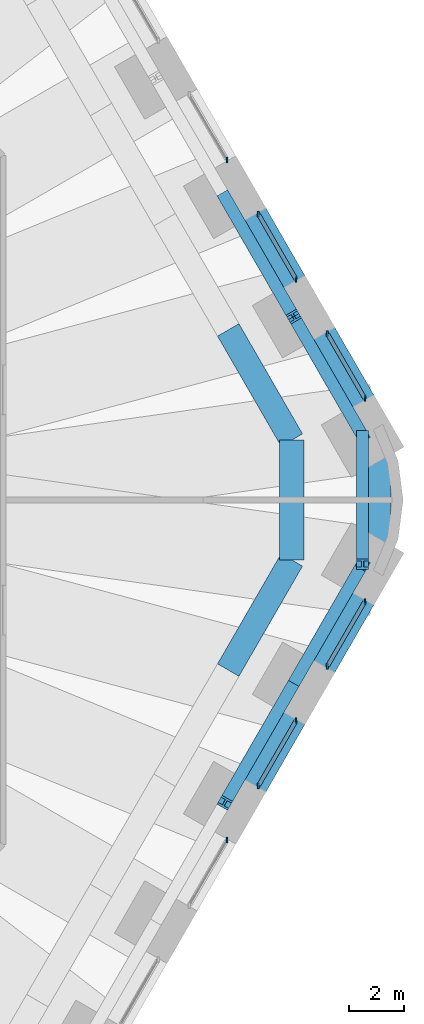
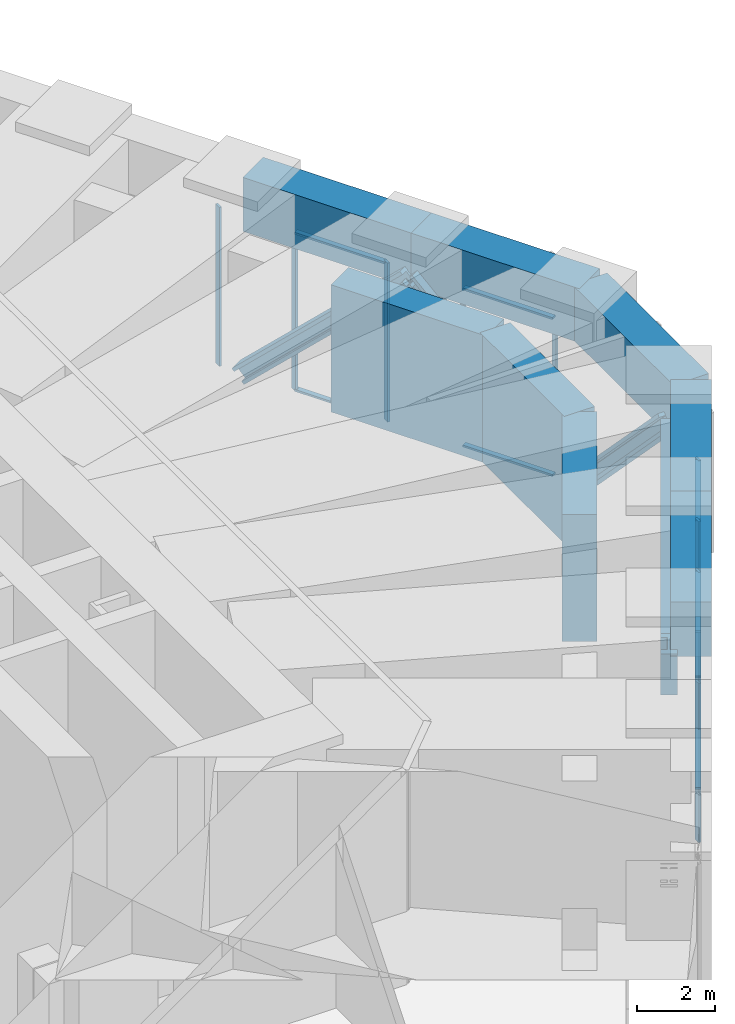
# One storey, part 10 of 16: 23 members, 8 beams, 6 elements without a shape of their own.
"""IFC4 building model written with IfcOpenShell, lengths in metres."""

from ifc_helpers import new_model, si_unit, direction, frame, origin, origin_2d, place, context, subcontext, project, spatial, rectangle, i_section, extrude, material, material_profile, profile_set, type_object, element, aggregate, save


model = new_model("IFC4")

# Units and contexts
model_context = context("Model", 3, precision=1e-05, world=origin(), true_north=direction((0.0, 1.0)))
body_context = subcontext(model_context, "Body", "Model", "MODEL_VIEW")
ifc_project = project(units=[si_unit("LENGTHUNIT", "METRE"), si_unit("AREAUNIT", "SQUARE_METRE"), si_unit("VOLUMEUNIT", "CUBIC_METRE"), si_unit("PLANEANGLEUNIT", "RADIAN"), si_unit("MASSUNIT", "GRAM", prefix="KILO")], contexts=[model_context])

# Site, building, storey
site_placement = place(None, origin())
site = spatial("IfcSite", under=ifc_project, at=site_placement, CompositionType="ELEMENT")
building_placement = place(site_placement, origin())
building = spatial("IfcBuilding", under=site, at=building_placement, Name="Tarfa Lantern Tower", CompositionType="ELEMENT")
storey_placement = place(building_placement, frame((0.0, 0.0, 203.5)))
storey = spatial("IfcBuildingStorey", under=building, at=storey_placement, Name="L46", CompositionType="ELEMENT", Elevation=203.5)

# Members
ifc_material_1 = material(Name="Steel S460M", Category="steel")
ifc_material_profile_1 = material_profile(ifc_material_1, i_section(OverallWidth=0.44189453125, OverallDepth=0.531005859375, WebThickness=0.06591796875, FlangeThickness=0.10595703125, FilletRadius=0.02001953125, at=origin_2d()), Name="HD400x900")
ifc_profile_set_1 = profile_set([ifc_material_profile_1], Name="Steel S460M")
member_type_1 = type_object("IfcMemberType", Name="BT2 HD400x900", PredefinedType="BRACE", material=ifc_profile_set_1)
member_1_placement = place(storey_placement, frame((34.04931640625, 2.324951171875, 0.60009765625), z_axis=(-0.360836211576, 0.624984656077, 0.692236526112), x_axis=(-0.866024712477, -0.500001197378, 0.0)))
element("IfcMember", 1, at=member_1_placement, inside=storey, type_object=member_type_1, Name="Belt truss diagonal 1", PredefinedType="BRACE", context=body_context, shape_type="SweptSolid", body=[
    extrude(i_section(OverallWidth=0.44189453125, OverallDepth=0.531005859375, WebThickness=0.06591796875, FlangeThickness=0.10595703125, FilletRadius=0.02001953125, at=origin_2d()), origin(), (0.0, 0.0, 1.0), 6.933837890625),
])
for number, where, z_axis, x_axis, name in (
    (2, (29.04541015625, 10.99169921875, 0.60009765625), (0.360844152163, -0.624963198354, 0.692251759516), (0.866012514114, 0.500022324899, 0.0), "Belt truss diagonal 2"),
    (3, (31.54736328125, -6.658447265625, 0.60009765625), (-0.360844152163, -0.624963198354, 0.692251759516), (0.866012514114, -0.500022324899, 0.0), "Belt truss diagonal 40"),
):
    element("IfcMember", number, at=place(storey_placement, frame(where, z_axis=z_axis, x_axis=x_axis)), inside=storey, type_object=member_type_1, Name=name, PredefinedType="BRACE", context=body_context, shape_type="SweptSolid", body=[
        extrude(i_section(OverallWidth=0.44189453125, OverallDepth=0.531005859375, WebThickness=0.06591796875, FlangeThickness=0.10595703125, FilletRadius=0.02001953125, at=origin_2d()), origin(), (0.0, 0.0, 1.0), 6.93359375),
    ])
member_2_placement = place(storey_placement, frame((31.54736328125, -6.658447265625, 0.60009765625), z_axis=(0.360836211576, 0.624984656077, 0.692236526112), x_axis=(-0.866024712477, 0.500001197378, 0.0)))
element("IfcMember", 4, at=member_2_placement, inside=storey, type_object=member_type_1, Name="Belt truss diagonal 41", PredefinedType="BRACE", context=body_context, shape_type="SweptSolid", body=[
    extrude(i_section(OverallWidth=0.44189453125, OverallDepth=0.531005859375, WebThickness=0.06591796875, FlangeThickness=0.10595703125, FilletRadius=0.02001953125, at=origin_2d()), origin(), (0.0, 0.0, 1.0), 6.933837890625),
])
member_3_placement = place(storey_placement, frame((34.04931640625, 2.324951171875, 0.60009765625), z_axis=(0.0, -0.695802283081, 0.718233376319), x_axis=(1.0, 0.0, 0.0)))
element("IfcMember", 5, at=member_3_placement, inside=storey, type_object=member_type_1, Name="Belt truss diagonal 42", PredefinedType="BRACE", context=body_context, shape_type="SweptSolid", body=[
    extrude(i_section(OverallWidth=0.44189453125, OverallDepth=0.531005859375, WebThickness=0.06591796875, FlangeThickness=0.10595703125, FilletRadius=0.02001953125, at=origin_2d()), origin(), (0.0, 0.0, 1.0), 6.682861328125),
])

# Curtain wall, members
ifc_material_2 = material(Name="Aluminium framed curtain wall", Category="aluminium")
curtain_wall_type = type_object("IfcCurtainWallType", Name="CW6 LOUVRED SCREEN WALL 5000", PredefinedType="USERDEFINED", material=ifc_material_2)
curtain_wall_1_placement = place(storey_placement, origin())
curtain_wall_1 = element("IfcCurtainWall", 6, at=curtain_wall_1_placement, inside=storey, type_object=curtain_wall_type, Name="CW6 NE L46", ObjectType="CURTAIN WALL", PredefinedType="USERDEFINED")
ifc_material_3 = material(Name="Aluminium mullion", Category="aluminium")
ifc_material_profile_2 = material_profile(ifc_material_3, rectangle(XDim=0.06494140625, YDim=0.199951171875, at=origin_2d()), Name="AL MULLION 65x200")
ifc_profile_set_2 = profile_set([ifc_material_profile_2], Name="Aluminium mullion")
member_type_2 = type_object("IfcMemberType", Name="CWM1 MULLION 65x200", PredefinedType="MULLION", material=ifc_profile_set_2)
member_4_placement = place(storey_placement, frame((34.132568359375, 3.6806640625, 0.0), z_axis=(0.0, 0.0, 1.0), x_axis=(1.0, 0.0, 0.0)))
member_4 = element("IfcMember", 7, at=member_4_placement, type_object=member_type_2, Name="CW6 mullion 1", PredefinedType="MULLION", context=body_context, shape_type="SweptSolid", body=[
    extrude(rectangle(XDim=0.06494140625, YDim=0.199951171875, at=origin_2d()), origin(), (0.0, 0.0, 1.0), 5.0),
])
member_5_placement = place(storey_placement, frame((32.76318359375, 6.052490234375, 0.0), z_axis=(0.0, 0.0, 1.0), x_axis=(1.0, 0.0, 0.0)))
member_5 = element("IfcMember", 8, at=member_5_placement, type_object=member_type_2, Name="CW6 mullion 2", PredefinedType="MULLION", context=body_context, shape_type="SweptSolid", body=[
    extrude(rectangle(XDim=0.06494140625, YDim=0.199951171875, at=origin_2d()), origin(), (0.0, 0.0, 1.0), 5.0),
])

curtain_wall_2_placement = place(storey_placement, origin())
curtain_wall_2 = element("IfcCurtainWall", 9, at=curtain_wall_2_placement, inside=storey, type_object=curtain_wall_type, Name="CW6 NE L46", ObjectType="CURTAIN WALL", PredefinedType="USERDEFINED")
member_6_placement = place(storey_placement, frame((31.630615234375, 8.01416015625, 0.0), z_axis=(0.0, 0.0, 1.0), x_axis=(1.0, 0.0, 0.0)))
member_6 = element("IfcMember", 10, at=member_6_placement, type_object=member_type_2, Name="CW6 mullion 1", PredefinedType="MULLION", context=body_context, shape_type="SweptSolid", body=[
    extrude(rectangle(XDim=0.06494140625, YDim=0.199951171875, at=origin_2d()), origin(), (0.0, 0.0, 1.0), 5.0),
])
member_7_placement = place(storey_placement, frame((30.26123046875, 10.385986328125, 0.0), z_axis=(0.0, 0.0, 1.0), x_axis=(1.0, 0.0, 0.0)))
member_7 = element("IfcMember", 11, at=member_7_placement, type_object=member_type_2, Name="CW6 mullion 2", PredefinedType="MULLION", context=body_context, shape_type="SweptSolid", body=[
    extrude(rectangle(XDim=0.06494140625, YDim=0.199951171875, at=origin_2d()), origin(), (0.0, 0.0, 1.0), 5.0),
])

# Curtain wall, member
curtain_wall_3_placement = place(storey_placement, origin())
curtain_wall_3 = element("IfcCurtainWall", 12, at=curtain_wall_3_placement, inside=storey, type_object=curtain_wall_type, Name="CW6 NE L46", ObjectType="CURTAIN WALL", PredefinedType="USERDEFINED")
member_8_placement = place(storey_placement, frame((29.12890625, 12.347412109375, 0.0), z_axis=(0.0, 0.0, 1.0), x_axis=(1.0, 0.0, 0.0)))
member_8 = element("IfcMember", 13, at=member_8_placement, type_object=member_type_2, Name="CW6 mullion 1", PredefinedType="MULLION", context=body_context, shape_type="SweptSolid", body=[
    extrude(rectangle(XDim=0.06494140625, YDim=0.199951171875, at=origin_2d()), origin(), (0.0, 0.0, 1.0), 5.0),
])
aggregate(curtain_wall_3, [member_8])

curtain_wall_4_placement = place(storey_placement, origin())
curtain_wall_4 = element("IfcCurtainWall", 14, at=curtain_wall_4_placement, inside=storey, type_object=curtain_wall_type, Name="CW6 SE L46", ObjectType="CURTAIN WALL", PredefinedType="USERDEFINED")
member_9_placement = place(storey_placement, frame((29.12890625, -12.347412109375, 0.0), z_axis=(0.0, 0.0, 1.0), x_axis=(1.0, 0.0, 0.0)))
member_9 = element("IfcMember", 15, at=member_9_placement, type_object=member_type_2, Name="CW6 mullion 2", PredefinedType="MULLION", context=body_context, shape_type="SweptSolid", body=[
    extrude(rectangle(XDim=0.06494140625, YDim=0.199951171875, at=origin_2d()), origin(), (0.0, 0.0, 1.0), 5.0),
])
aggregate(curtain_wall_4, [member_9])

# Curtain wall, members
curtain_wall_5_placement = place(storey_placement, origin())
curtain_wall_5 = element("IfcCurtainWall", 16, at=curtain_wall_5_placement, inside=storey, type_object=curtain_wall_type, Name="CW6 SE L46", ObjectType="CURTAIN WALL", PredefinedType="USERDEFINED")
member_10_placement = place(storey_placement, frame((30.26123046875, -10.385986328125, 0.0), z_axis=(0.0, 0.0, 1.0), x_axis=(1.0, 0.0, 0.0)))
member_10 = element("IfcMember", 17, at=member_10_placement, type_object=member_type_2, Name="CW6 mullion 1", PredefinedType="MULLION", context=body_context, shape_type="SweptSolid", body=[
    extrude(rectangle(XDim=0.06494140625, YDim=0.199951171875, at=origin_2d()), origin(), (0.0, 0.0, 1.0), 5.0),
])
member_11_placement = place(storey_placement, frame((31.630615234375, -8.01416015625, 0.0), z_axis=(0.0, 0.0, 1.0), x_axis=(1.0, 0.0, 0.0)))
member_11 = element("IfcMember", 18, at=member_11_placement, type_object=member_type_2, Name="CW6 mullion 2", PredefinedType="MULLION", context=body_context, shape_type="SweptSolid", body=[
    extrude(rectangle(XDim=0.06494140625, YDim=0.199951171875, at=origin_2d()), origin(), (0.0, 0.0, 1.0), 5.0),
])

curtain_wall_6_placement = place(storey_placement, origin())
curtain_wall_6 = element("IfcCurtainWall", 19, at=curtain_wall_6_placement, inside=storey, type_object=curtain_wall_type, Name="CW6 SE L46", ObjectType="CURTAIN WALL", PredefinedType="USERDEFINED")
member_12_placement = place(storey_placement, frame((32.76318359375, -6.052490234375, 0.0), z_axis=(0.0, 0.0, 1.0), x_axis=(1.0, 0.0, 0.0)))
member_12 = element("IfcMember", 20, at=member_12_placement, type_object=member_type_2, Name="CW6 mullion 1", PredefinedType="MULLION", context=body_context, shape_type="SweptSolid", body=[
    extrude(rectangle(XDim=0.06494140625, YDim=0.199951171875, at=origin_2d()), origin(), (0.0, 0.0, 1.0), 5.0),
])
member_13_placement = place(storey_placement, frame((34.132568359375, -3.6806640625, 0.0), z_axis=(0.0, 0.0, 1.0), x_axis=(1.0, 0.0, 0.0)))
member_13 = element("IfcMember", 21, at=member_13_placement, type_object=member_type_2, Name="CW6 mullion 2", PredefinedType="MULLION", context=body_context, shape_type="SweptSolid", body=[
    extrude(rectangle(XDim=0.06494140625, YDim=0.199951171875, at=origin_2d()), origin(), (0.0, 0.0, 1.0), 5.0),
])

# Member
ifc_material_4 = material(Name="Aluminium transom", Category="aluminium")
ifc_material_profile_3 = material_profile(ifc_material_4, rectangle(XDim=0.14990234375, YDim=0.06494140625, at=origin_2d()), Name="AL TRANSOM 150x65")
ifc_profile_set_3 = profile_set([ifc_material_profile_3], Name="Aluminium transom")
member_type_3 = type_object("IfcMemberType", Name="CWT1 TRANSOM 150x65", PredefinedType="USERDEFINED", material=ifc_profile_set_3)
member_14_placement = place(storey_placement, frame((34.1162109375, 3.708984375, 0.032470703125), z_axis=(-0.500028081597, 0.86600919026, 0.0), x_axis=(-0.86600919026, -0.500028081597, 0.0)))
member_14 = element("IfcMember", 22, at=member_14_placement, type_object=member_type_3, Name="CW6 transom 1.1", ObjectType="TRANSOM", PredefinedType="USERDEFINED", context=body_context, shape_type="SweptSolid", body=[
    extrude(rectangle(XDim=0.14990234375, YDim=0.06494140625, at=origin_2d()), origin(), (0.0, 0.0, 1.0), 2.673583984375),
])

member_15_placement = place(storey_placement, frame((34.1162109375, 3.708984375, 4.967529296875), z_axis=(-0.500028081597, 0.86600919026, 0.0), x_axis=(-0.86600919026, -0.500028081597, 0.0)))
member_15 = element("IfcMember", 23, at=member_15_placement, type_object=member_type_3, Name="CW6 transom 1.2", ObjectType="TRANSOM", PredefinedType="USERDEFINED", context=body_context, shape_type="SweptSolid", body=[
    extrude(rectangle(XDim=0.14990234375, YDim=0.06494140625, at=origin_2d()), origin(), (0.0, 0.0, 1.0), 2.673583984375),
])

aggregate(curtain_wall_1, [member_4, member_5, member_14, member_15])

member_16_placement = place(storey_placement, frame((31.614501953125, 8.042236328125, 0.032470703125), z_axis=(-0.500028081597, 0.86600919026, 0.0), x_axis=(-0.86600919026, -0.500028081597, 0.0)))
member_16 = element("IfcMember", 24, at=member_16_placement, type_object=member_type_3, Name="CW6 transom 1.1", ObjectType="TRANSOM", PredefinedType="USERDEFINED", context=body_context, shape_type="SweptSolid", body=[
    extrude(rectangle(XDim=0.14990234375, YDim=0.06494140625, at=origin_2d()), origin(), (0.0, 0.0, 1.0), 2.673583984375),
])

member_17_placement = place(storey_placement, frame((31.614501953125, 8.042236328125, 4.967529296875), z_axis=(-0.500028081597, 0.86600919026, 0.0), x_axis=(-0.86600919026, -0.500028081597, 0.0)))
member_17 = element("IfcMember", 25, at=member_17_placement, type_object=member_type_3, Name="CW6 transom 1.2", ObjectType="TRANSOM", PredefinedType="USERDEFINED", context=body_context, shape_type="SweptSolid", body=[
    extrude(rectangle(XDim=0.14990234375, YDim=0.06494140625, at=origin_2d()), origin(), (0.0, 0.0, 1.0), 2.673583984375),
])

aggregate(curtain_wall_2, [member_6, member_7, member_16, member_17])

member_18_placement = place(storey_placement, frame((30.277587890625, -10.357666015625, 0.032470703125), z_axis=(0.500028081597, 0.86600919026, 0.0), x_axis=(-0.86600919026, 0.500028081597, 0.0)))
member_18 = element("IfcMember", 26, at=member_18_placement, type_object=member_type_3, Name="CW6 transom 1.1", ObjectType="TRANSOM", PredefinedType="USERDEFINED", context=body_context, shape_type="SweptSolid", body=[
    extrude(rectangle(XDim=0.14990234375, YDim=0.06494140625, at=origin_2d()), origin(), (0.0, 0.0, 1.0), 2.673583984375),
])

member_19_placement = place(storey_placement, frame((30.277587890625, -10.357666015625, 4.967529296875), z_axis=(0.500028081597, 0.86600919026, 0.0), x_axis=(-0.86600919026, 0.500028081597, 0.0)))
member_19 = element("IfcMember", 27, at=member_19_placement, type_object=member_type_3, Name="CW6 transom 1.2", ObjectType="TRANSOM", PredefinedType="USERDEFINED", context=body_context, shape_type="SweptSolid", body=[
    extrude(rectangle(XDim=0.14990234375, YDim=0.06494140625, at=origin_2d()), origin(), (0.0, 0.0, 1.0), 2.673583984375),
])

aggregate(curtain_wall_5, [member_10, member_11, member_18, member_19])

member_20_placement = place(storey_placement, frame((32.779296875, -6.0244140625, 0.032470703125), z_axis=(0.500028081597, 0.86600919026, 0.0), x_axis=(-0.86600919026, 0.500028081597, 0.0)))
member_20 = element("IfcMember", 28, at=member_20_placement, type_object=member_type_3, Name="CW6 transom 1.1", ObjectType="TRANSOM", PredefinedType="USERDEFINED", context=body_context, shape_type="SweptSolid", body=[
    extrude(rectangle(XDim=0.14990234375, YDim=0.06494140625, at=origin_2d()), origin(), (0.0, 0.0, 1.0), 2.673583984375),
])

member_21_placement = place(storey_placement, frame((32.779296875, -6.0244140625, 4.967529296875), z_axis=(0.500028081597, 0.86600919026, 0.0), x_axis=(-0.86600919026, 0.500028081597, 0.0)))
member_21 = element("IfcMember", 29, at=member_21_placement, type_object=member_type_3, Name="CW6 transom 1.2", ObjectType="TRANSOM", PredefinedType="USERDEFINED", context=body_context, shape_type="SweptSolid", body=[
    extrude(rectangle(XDim=0.14990234375, YDim=0.06494140625, at=origin_2d()), origin(), (0.0, 0.0, 1.0), 2.673583984375),
])

aggregate(curtain_wall_6, [member_12, member_13, member_20, member_21])

# Beams
ifc_material_5 = material(Name="Concrete C80/95", Category="concrete")
ifc_material_profile_4 = material_profile(ifc_material_5, rectangle(XDim=1.050048828125, YDim=1.699951171875, at=origin_2d()), Name="RC 1050x1700")
ifc_profile_set_4 = profile_set([ifc_material_profile_4], Name="Concrete C80/95")
beam_type_1 = type_object("IfcBeamType", Name="RB2 RC 1050x1700", PredefinedType="BEAM", material=ifc_profile_set_4)
for number, where, z_axis, x_axis, name in (
    (30, (34.54296875, 2.610107421875, 5.85009765625), (-0.500022324899, 0.866012514114, 0.0), (-0.866012514114, -0.500022324899, 0.0), "Edge beam NE0"),
    (31, (32.041015625, 6.943359375, 5.85009765625), (-0.500022324899, 0.866012514114, 0.0), (-0.866012514114, -0.500022324899, 0.0), "Edge beam NE1"),
    (32, (29.5390625, -11.276611328125, 5.85009765625), (0.500022324899, 0.866012514114, 0.0), (-0.866012514114, 0.500022324899, 0.0), "Edge beam SE4"),
    (33, (32.041015625, -6.943359375, 5.85009765625), (0.500022324899, 0.866012514114, 0.0), (-0.866012514114, 0.500022324899, 0.0), "Edge beam SE5"),
):
    element("IfcBeam", number, at=place(storey_placement, frame(where, z_axis=z_axis, x_axis=x_axis)), inside=storey, type_object=beam_type_1, Name=name, PredefinedType="BEAM", context=body_context, shape_type="SweptSolid", body=[
        extrude(rectangle(XDim=1.050048828125, YDim=1.699951171875, at=origin_2d()), origin(), (0.0, 0.0, 1.0), 5.003662109375),
    ])
beam_1_placement = place(storey_placement, frame((34.54296875, -2.610107421875, 5.85009765625), z_axis=(0.0, 1.0, 0.0), x_axis=(-1.0, 0.0, 0.0)))
element("IfcBeam", 34, at=beam_1_placement, inside=storey, type_object=beam_type_1, Name="Edge beam SE6", PredefinedType="BEAM", context=body_context, shape_type="SweptSolid", body=[
    extrude(rectangle(XDim=1.050048828125, YDim=1.699951171875, at=origin_2d()), origin(), (0.0, 0.0, 1.0), 5.22021484375),
])
ifc_material_profile_5 = material_profile(ifc_material_5, rectangle(XDim=0.89990234375, YDim=4.0, at=origin_2d()), Name="RC 900x4000")
ifc_profile_set_5 = profile_set([ifc_material_profile_5], Name="Concrete C80/95")
beam_type_2 = type_object("IfcBeamType", Name="RG2 RC 900x4000", PredefinedType="BEAM", material=ifc_profile_set_5)
for number, where, z_axis, x_axis, name in (
    (35, (31.47998046875, 2.175048828125, 4.5), (-0.499987836815, 0.866032426089, 0.0), (-0.866032426089, -0.499987836815, 0.0), "Ring girder NE0"),
    (36, (29.170654296875, -6.175048828125, 4.5), (0.499987836815, 0.866032426089, 0.0), (-0.866032426089, 0.499987836815, 0.0), "Ring girder SE5"),
):
    element("IfcBeam", number, at=place(storey_placement, frame(where, z_axis=z_axis, x_axis=x_axis)), inside=storey, type_object=beam_type_2, Name=name, PredefinedType="BEAM", context=body_context, shape_type="SweptSolid", body=[
        extrude(rectangle(XDim=0.89990234375, YDim=4.0, at=origin_2d()), origin(), (0.0, 0.0, 1.0), 4.61865234375),
    ])
beam_2_placement = place(storey_placement, frame((31.47998046875, -2.175048828125, 4.5), z_axis=(0.0, 1.0, 0.0), x_axis=(-1.0, 0.0, 0.0)))
element("IfcBeam", 37, at=beam_2_placement, inside=storey, type_object=beam_type_2, Name="Ring girder SE6", PredefinedType="BEAM", context=body_context, shape_type="SweptSolid", body=[
    extrude(rectangle(XDim=0.89990234375, YDim=4.0, at=origin_2d()), origin(), (0.0, 0.0, 1.0), 4.35009765625),
])

save(model, "model.ifc")
